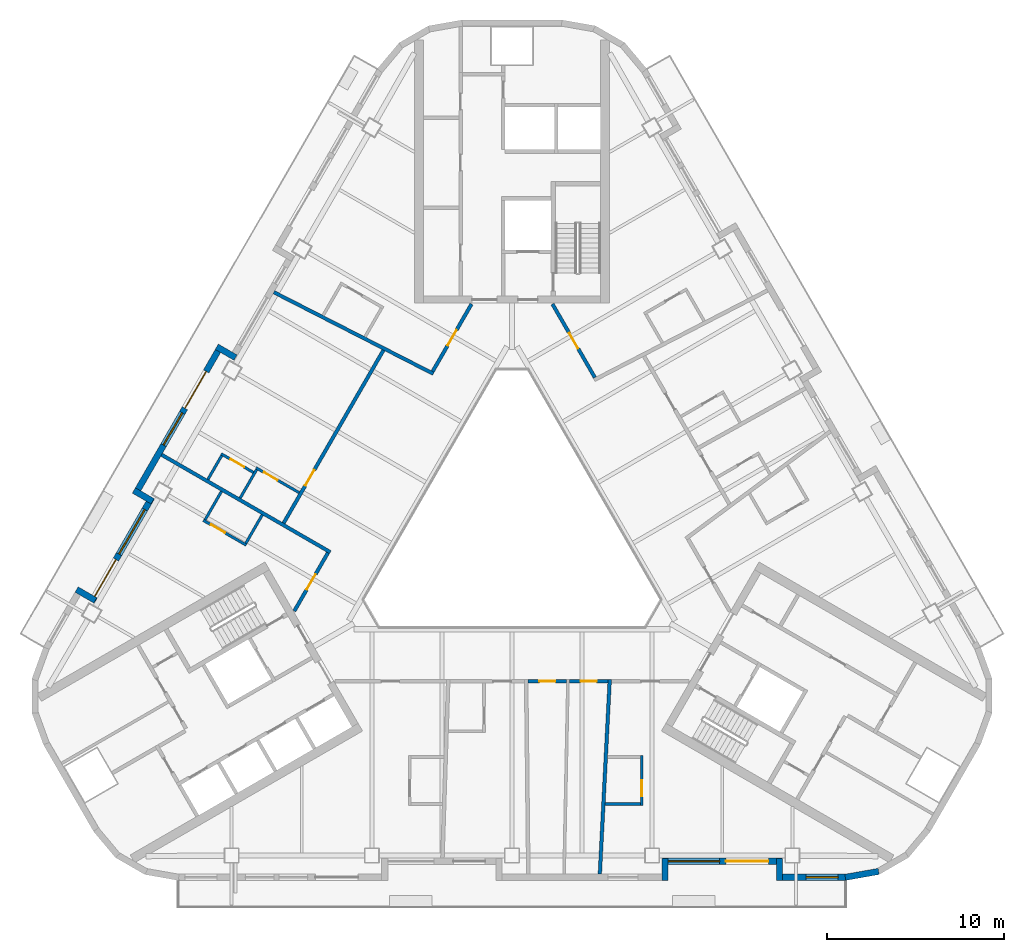
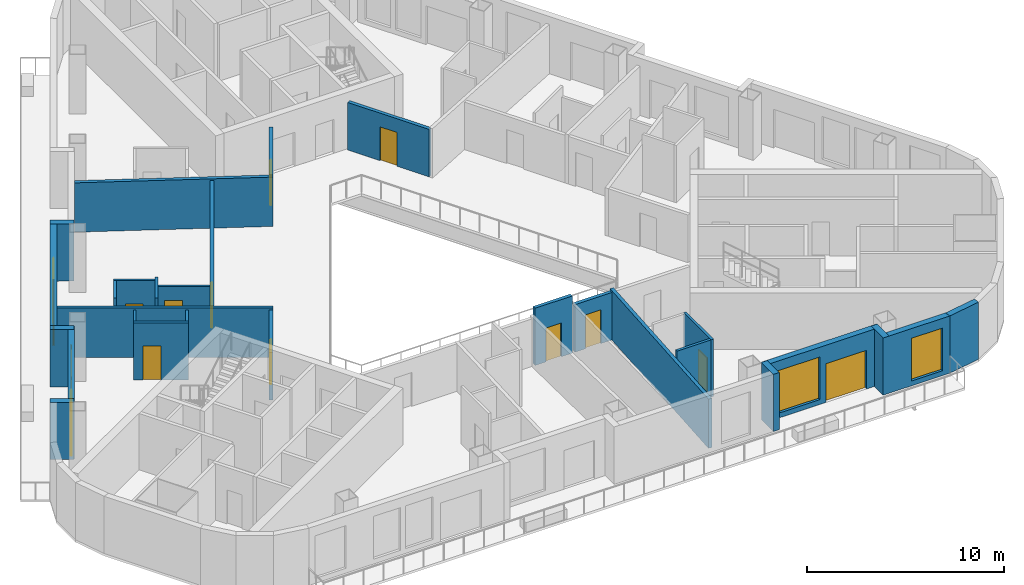
# One storey, part 4 of 14: 28 walls, 13 doors, 4 windows, 17 openings.
"""IFC4 building model written with IfcOpenShell, lengths in metres."""

from ifc_helpers import new_model, si_unit, direction, frame, frame_2d, origin, place, context, subcontext, project, spatial, rectangle, extrude, material, layer, layer_set, type_object, element, fill, save


model = new_model("IFC4")

# Units and contexts
model_context = context("Model", 3, precision=1e-05, world=origin(), true_north=direction((0.0, 1.0)))
body_context = subcontext(model_context, "Body", "Model", "MODEL_VIEW")
ifc_project = project(units=[si_unit("LENGTHUNIT", "METRE"), si_unit("AREAUNIT", "SQUARE_METRE"), si_unit("VOLUMEUNIT", "CUBIC_METRE"), si_unit("PLANEANGLEUNIT", "RADIAN"), si_unit("MASSUNIT", "GRAM", prefix="KILO")], contexts=[model_context])

# Site, building, storey
site_placement = place(None, origin())
site = spatial("IfcSite", under=ifc_project, at=site_placement, CompositionType="ELEMENT")
building_placement = place(site_placement, origin())
building = spatial("IfcBuilding", under=site, at=building_placement, Name="Apuvela Tower Hotel", CompositionType="ELEMENT")
storey_placement = place(building_placement, frame((0.0, 0.0, 172.5)))
storey = spatial("IfcBuildingStorey", under=building, at=storey_placement, Name="L41", CompositionType="ELEMENT", Elevation=172.5)

# Wall
ifc_material_1 = material(Name="Concrete C40/50, dark pigmented precast panel", Category="concrete")
ifc_layer_1 = layer(ifc_material_1, 0.35009765625)
ifc_layer_set_1 = layer_set([ifc_layer_1], Name="ENV-WALL-350")
wall_type_1 = type_object("IfcWallType", Name="ENV-WALL-350", PredefinedType="SOLIDWALL", material=ifc_layer_set_1)
wall_1_placement = place(storey_placement, frame((-15.580810546875, 9.8330078125, 0.0), z_axis=(0.0, 0.0, 1.0), x_axis=(-0.866055662726, 0.499947586314, 0.0)))
element("IfcWall", 1, at=wall_1_placement, inside=storey, type_object=wall_type_1, Name="External wall L41-04", PredefinedType="SOLIDWALL", context=body_context, shape_type="SweptSolid", body=[
    extrude(rectangle(XDim=1.220458984375, YDim=0.35009765625, at=frame_2d((0.6103515625, 0.0))), origin(), (0.0, 0.0, 1.0), 3.550048828125),
])

# Wall, openings, door, window
wall_2_placement = place(storey_placement, frame((-16.3984375, 10.507080078125, 0.0), z_axis=(0.0, 0.0, 1.0), x_axis=(-0.499999142773, -0.866025898704, 0.0)))
wall_2 = element("IfcWall", 2, at=wall_2_placement, inside=storey, type_object=wall_type_1, Name="External wall L41-05", PredefinedType="SOLIDWALL", context=body_context, shape_type="SweptSolid", body=[
    extrude(rectangle(XDim=9.7001953125, YDim=0.35009765625, at=frame_2d((4.85009765625, 0.0))), origin(), (0.0, 0.0, 1.0), 3.550048828125),
])
opening_1_placement = place(wall_2_placement, frame((1.67529296875, 0.0, 0.0)))
opening_1 = element("IfcOpeningElement", 3, at=opening_1_placement, cuts=wall_2, Name="Opening BD24", PredefinedType="OPENING", context=body_context, shape_type="SweptSolid", body=[
    extrude(rectangle(XDim=2.39990234375, YDim=2.39990234375, at=frame_2d((1.199951171875, 1.199951171875))), frame((0.0, 0.18505859375, 0.0), z_axis=(0.0, -1.0, 0.0), x_axis=(1.0, 0.0, 0.0)), (0.0, 0.0, 1.0), 0.3701171875),
])
opening_2_placement = place(wall_2_placement, frame((4.37548828125, 0.0, 0.300048828125)))
opening_2 = element("IfcOpeningElement", 4, at=opening_2_placement, cuts=wall_2, Name="Opening WN21", PredefinedType="OPENING", context=body_context, shape_type="SweptSolid", body=[
    extrude(rectangle(XDim=2.10009765625, YDim=2.64990234375, at=frame_2d((1.050048828125, 1.324951171875))), frame((0.0, 0.18505859375, 0.0), z_axis=(0.0, -1.0, 0.0), x_axis=(1.0, 0.0, 0.0)), (0.0, 0.0, 1.0), 0.3701171875),
])
ifc_material_2 = material(Name="Aluminium 6063-T6, dark bronze anodised frame with dark tinted laminated glass", Category="aluminium")
door_type_1 = type_object("IfcDoorType", Name="ENV-DOOR-BALCONY-2400x2400", OperationType="SLIDING_TO_LEFT", PredefinedType="DOOR", material=ifc_material_2)
door_1_placement = place(opening_1_placement, frame((2.39990234375, 0.0, 0.0), z_axis=(0.0, 0.0, 1.0), x_axis=(-1.0, 0.0, 0.0)))
door_1 = element("IfcDoor", 5, at=door_1_placement, inside=storey, type_object=door_type_1, Name="Balcony door BD24", OperationType="SLIDING_TO_LEFT", OverallHeight=2.39990234375, OverallWidth=2.39990234375, PredefinedType="DOOR", context=body_context, shape_type="SweptSolid", body=[
    extrude(rectangle(XDim=2.39990234375, YDim=2.39990234375, at=frame_2d((1.199951171875, 1.199951171875))), frame((0.0, 0.02490234375, 0.0), z_axis=(0.0, -1.0, 0.0), x_axis=(1.0, 0.0, 0.0)), (0.0, 0.0, 1.0), 0.050048828125),
])
fill(opening_1, door_1)
ifc_material_3 = material(Name="Glass, dark tinted laminated insulated glazing unit", Category="glass")
window_type_1 = type_object("IfcWindowType", Name="ENV-WIN-2100x2650", PartitioningType="SINGLE_PANEL", PredefinedType="WINDOW", material=ifc_material_3)
window_1_placement = place(opening_2_placement, origin())
window_1 = element("IfcWindow", 6, at=window_1_placement, inside=storey, type_object=window_type_1, Name="Window WN21", OverallHeight=2.64990234375, OverallWidth=2.10009765625, PartitioningType="SINGLE_PANEL", PredefinedType="WINDOW", context=body_context, shape_type="SweptSolid", body=[
    extrude(rectangle(XDim=2.10009765625, YDim=2.64990234375, at=frame_2d((1.050048828125, 1.324951171875))), frame((0.0, 0.030029296875, 0.0), z_axis=(0.0, -1.0, 0.0), x_axis=(1.0, 0.0, 0.0)), (0.0, 0.0, 1.0), 0.06005859375),
])
fill(opening_2, window_1)

# Wall
wall_3_placement = place(storey_placement, frame((-21.3125, 2.345703125, 0.0), z_axis=(0.0, 0.0, 1.0), x_axis=(0.866005645448, -0.500034220881, 0.0)))
element("IfcWall", 7, at=wall_3_placement, inside=storey, type_object=wall_type_1, Name="External wall L41-06", PredefinedType="SOLIDWALL", context=body_context, shape_type="SweptSolid", body=[
    extrude(rectangle(XDim=1.22021484375, YDim=0.35009765625, at=frame_2d((0.610107421875, 0.0))), origin(), (0.0, 0.0, 1.0), 3.550048828125),
])

# Wall, openings, door, window
wall_4_placement = place(storey_placement, frame((-20.30908203125, 1.93359375, 0.0), z_axis=(0.0, 0.0, 1.0), x_axis=(-0.499992114976, -0.866029956157, 0.0)))
wall_4 = element("IfcWall", 8, at=wall_4_placement, inside=storey, type_object=wall_type_1, Name="External wall L41-07", PredefinedType="SOLIDWALL", context=body_context, shape_type="SweptSolid", body=[
    extrude(rectangle(XDim=6.73974609375, YDim=0.35009765625, at=frame_2d((3.369873046875, 0.0))), origin(), (0.0, 0.0, 1.0), 3.550048828125),
])
opening_3_placement = place(wall_4_placement, frame((4.02001953125, 0.0, 0.0)))
opening_3 = element("IfcOpeningElement", 9, at=opening_3_placement, cuts=wall_4, Name="Opening BD24", PredefinedType="OPENING", context=body_context, shape_type="SweptSolid", body=[
    extrude(rectangle(XDim=2.39990234375, YDim=2.39990234375, at=frame_2d((1.199951171875, 1.199951171875))), frame((0.0, 0.18505859375, 0.0), z_axis=(0.0, -1.0, 0.0), x_axis=(1.0, 0.0, 0.0)), (0.0, 0.0, 1.0), 0.3701171875),
])
opening_4_placement = place(wall_4_placement, frame((0.77001953125, 0.0, 0.300048828125)))
opening_4 = element("IfcOpeningElement", 10, at=opening_4_placement, cuts=wall_4, Name="Opening WN29", PredefinedType="OPENING", context=body_context, shape_type="SweptSolid", body=[
    extrude(rectangle(XDim=2.89990234375, YDim=2.64990234375, at=frame_2d((1.449951171875, 1.324951171875))), frame((0.0, 0.18505859375, 0.0), z_axis=(0.0, -1.0, 0.0), x_axis=(1.0, 0.0, 0.0)), (0.0, 0.0, 1.0), 0.3701171875),
])
door_2_placement = place(opening_3_placement, frame((2.39990234375, 0.0, 0.0), z_axis=(0.0, 0.0, 1.0), x_axis=(-1.0, 0.0, 0.0)))
door_2 = element("IfcDoor", 11, at=door_2_placement, inside=storey, type_object=door_type_1, Name="Balcony door BD24", OperationType="SLIDING_TO_LEFT", OverallHeight=2.39990234375, OverallWidth=2.39990234375, PredefinedType="DOOR", context=body_context, shape_type="SweptSolid", body=[
    extrude(rectangle(XDim=2.39990234375, YDim=2.39990234375, at=frame_2d((1.199951171875, 1.199951171875))), frame((0.0, 0.02490234375, 0.0), z_axis=(0.0, -1.0, 0.0), x_axis=(1.0, 0.0, 0.0)), (0.0, 0.0, 1.0), 0.050048828125),
])
fill(opening_3, door_2)
window_type_2 = type_object("IfcWindowType", Name="ENV-WIN-2900x2650", PartitioningType="SINGLE_PANEL", PredefinedType="WINDOW", material=ifc_material_3)
window_2_placement = place(opening_4_placement, origin())
window_2 = element("IfcWindow", 12, at=window_2_placement, inside=storey, type_object=window_type_2, Name="Window WN29", OverallHeight=2.64990234375, OverallWidth=2.89990234375, PartitioningType="SINGLE_PANEL", PredefinedType="WINDOW", context=body_context, shape_type="SweptSolid", body=[
    extrude(rectangle(XDim=2.89990234375, YDim=2.64990234375, at=frame_2d((1.449951171875, 1.324951171875))), frame((0.0, 0.030029296875, 0.0), z_axis=(0.0, -1.0, 0.0), x_axis=(1.0, 0.0, 0.0)), (0.0, 0.0, 1.0), 0.06005859375),
])
fill(opening_4, window_2)

# Walls
for number, where, z_axis, x_axis, name in (
    (13, (-23.48095703125, -3.85009765625, 0.0), (0.0, 0.0, 1.0), (-0.866092288191, 0.499884134912, 0.0), "External wall L41-08"),
    (14, (8.625, -19.6298828125, 0.0), (0.0, 0.0, 1.0), (0.0, 1.0, 0.0), "External wall L41-22"),
):
    element("IfcWall", number, at=place(storey_placement, frame(where, z_axis=z_axis, x_axis=x_axis)), inside=storey, type_object=wall_type_1, Name=name, PredefinedType="SOLIDWALL", context=body_context, shape_type="SweptSolid", body=[
        extrude(rectangle(XDim=1.219970703125, YDim=0.35009765625, at=frame_2d((0.60986328125, 0.0))), origin(), (0.0, 0.0, 1.0), 3.550048828125),
    ])

# Wall, openings, door, window
wall_5_placement = place(storey_placement, frame((8.47998046875, -18.554931640625, 0.0), z_axis=(0.0, 0.0, 1.0), x_axis=(1.0, 0.0, 0.0)))
wall_5 = element("IfcWall", 15, at=wall_5_placement, inside=storey, type_object=wall_type_1, Name="External wall L41-23", PredefinedType="SOLIDWALL", context=body_context, shape_type="SweptSolid", body=[
    extrude(rectangle(XDim=6.739990234375, YDim=0.35009765625, at=frame_2d((3.3701171875, 0.0))), origin(), (0.0, 0.0, 1.0), 3.550048828125),
])
opening_5_placement = place(wall_5_placement, frame((3.570068359375, 0.0, 0.0)))
opening_5 = element("IfcOpeningElement", 16, at=opening_5_placement, cuts=wall_5, Name="Opening BD24", PredefinedType="OPENING", context=body_context, shape_type="SweptSolid", body=[
    extrude(rectangle(XDim=2.39990234375, YDim=2.39990234375, at=frame_2d((1.199951171875, 1.199951171875))), frame((0.0, 0.18505859375, 0.0), z_axis=(0.0, -1.0, 0.0), x_axis=(1.0, 0.0, 0.0)), (0.0, 0.0, 1.0), 0.3701171875),
])
opening_6_placement = place(wall_5_placement, frame((0.3203125, 0.0, 0.300048828125)))
opening_6 = element("IfcOpeningElement", 17, at=opening_6_placement, cuts=wall_5, Name="Opening WN29", PredefinedType="OPENING", context=body_context, shape_type="SweptSolid", body=[
    extrude(rectangle(XDim=2.89990234375, YDim=2.64990234375, at=frame_2d((1.449951171875, 1.324951171875))), frame((0.0, 0.18505859375, 0.0), z_axis=(0.0, -1.0, 0.0), x_axis=(1.0, 0.0, 0.0)), (0.0, 0.0, 1.0), 0.3701171875),
])
door_3_placement = place(opening_5_placement, frame((2.39990234375, 0.0, 0.0), z_axis=(0.0, 0.0, 1.0), x_axis=(-1.0, 0.0, 0.0)))
door_3 = element("IfcDoor", 18, at=door_3_placement, inside=storey, type_object=door_type_1, Name="Balcony door BD24", OperationType="SLIDING_TO_LEFT", OverallHeight=2.39990234375, OverallWidth=2.39990234375, PredefinedType="DOOR", context=body_context, shape_type="SweptSolid", body=[
    extrude(rectangle(XDim=2.39990234375, YDim=2.39990234375, at=frame_2d((1.199951171875, 1.199951171875))), frame((0.0, 0.02490234375, 0.0), z_axis=(0.0, -1.0, 0.0), x_axis=(1.0, 0.0, 0.0)), (0.0, 0.0, 1.0), 0.050048828125),
])
fill(opening_5, door_3)
window_3_placement = place(opening_6_placement, origin())
window_3 = element("IfcWindow", 19, at=window_3_placement, inside=storey, type_object=window_type_2, Name="Window WN29", OverallHeight=2.64990234375, OverallWidth=2.89990234375, PartitioningType="SINGLE_PANEL", PredefinedType="WINDOW", context=body_context, shape_type="SweptSolid", body=[
    extrude(rectangle(XDim=2.89990234375, YDim=2.64990234375, at=frame_2d((1.449951171875, 1.324951171875))), frame((0.0, 0.030029296875, 0.0), z_axis=(0.0, -1.0, 0.0), x_axis=(1.0, 0.0, 0.0)), (0.0, 0.0, 1.0), 0.06005859375),
])
fill(opening_6, window_3)

# Wall
wall_6_placement = place(storey_placement, frame((15.074951171875, -18.409912109375, 0.0), z_axis=(0.0, 0.0, 1.0), x_axis=(0.0, -1.0, 0.0)))
element("IfcWall", 20, at=wall_6_placement, inside=storey, type_object=wall_type_1, Name="External wall L41-24", PredefinedType="SOLIDWALL", context=body_context, shape_type="SweptSolid", body=[
    extrude(rectangle(XDim=1.219970703125, YDim=0.35009765625, at=frame_2d((0.60986328125, 0.0))), origin(), (0.0, 0.0, 1.0), 3.550048828125),
])

# Wall, opening, window
wall_7_placement = place(storey_placement, frame((14.89990234375, -19.455078125, 0.0), z_axis=(0.0, 0.0, 1.0), x_axis=(1.0, 0.0, 0.0)))
wall_7 = element("IfcWall", 21, at=wall_7_placement, inside=storey, type_object=wall_type_1, Name="External wall L41-25", PredefinedType="SOLIDWALL", context=body_context, shape_type="SweptSolid", body=[
    extrude(rectangle(XDim=3.916015625, YDim=0.35009765625, at=frame_2d((1.9580078125, 0.0))), origin(), (0.0, 0.0, 1.0), 3.550048828125),
])
opening_7_placement = place(wall_7_placement, frame((1.674560546875, 0.0, 0.300048828125)))
opening_7 = element("IfcOpeningElement", 22, at=opening_7_placement, cuts=wall_7, Name="Opening WN18", PredefinedType="OPENING", context=body_context, shape_type="SweptSolid", body=[
    extrude(rectangle(XDim=1.800048828125, YDim=2.64990234375, at=frame_2d((0.89990234375, 1.324951171875))), frame((0.0, 0.18505859375, 0.0), z_axis=(0.0, -1.0, 0.0), x_axis=(1.0, 0.0, 0.0)), (0.0, 0.0, 1.0), 0.3701171875),
])
window_type_3 = type_object("IfcWindowType", Name="ENV-WIN-1800x2650", PartitioningType="SINGLE_PANEL", PredefinedType="WINDOW", material=ifc_material_3)
window_4_placement = place(opening_7_placement, origin())
window_4 = element("IfcWindow", 23, at=window_4_placement, inside=storey, type_object=window_type_3, Name="Window WN18", OverallHeight=2.64990234375, OverallWidth=1.800048828125, PartitioningType="SINGLE_PANEL", PredefinedType="WINDOW", context=body_context, shape_type="SweptSolid", body=[
    extrude(rectangle(XDim=1.800048828125, YDim=2.64990234375, at=frame_2d((0.89990234375, 1.324951171875))), frame((0.0, 0.030029296875, 0.0), z_axis=(0.0, -1.0, 0.0), x_axis=(1.0, 0.0, 0.0)), (0.0, 0.0, 1.0), 0.06005859375),
])
fill(opening_7, window_4)

# Walls
wall_8_placement = place(storey_placement, frame((18.785400390625, -19.457763671875, 0.0), z_axis=(0.0, 0.0, 1.0), x_axis=(0.984798995425, 0.173697837091, 0.0)))
element("IfcWall", 24, at=wall_8_placement, inside=storey, type_object=wall_type_1, Name="External wall L41-26", PredefinedType="SOLIDWALL", context=body_context, shape_type="SweptSolid", body=[
    extrude(rectangle(XDim=1.91015625, YDim=0.35009765625, at=frame_2d((0.955078125, 0.0))), origin(), (0.0, 0.0, 1.0), 3.550048828125),
])
ifc_material_4 = material(Name="Gypsum board partition on twin steel stud", Category="steel")
ifc_layer_2 = layer(ifc_material_4, 0.199951171875)
ifc_layer_set_2 = layer_set([ifc_layer_2], Name="GST-PW1")
wall_type_2 = type_object("IfcWallType", Name="GST-PW1", PredefinedType="PARTITIONING", material=ifc_layer_set_2)
wall_9_placement = place(storey_placement, frame((4.949951171875, -19.280029296875, 0.0), z_axis=(0.0, 0.0, 1.0), x_axis=(0.050963172582, 0.998700533213, 0.0)))
element("IfcWall", 25, at=wall_9_placement, inside=storey, type_object=wall_type_2, Name="L41 partition 03", PredefinedType="PARTITIONING", context=body_context, shape_type="SweptSolid", body=[
    extrude(rectangle(XDim=10.994384765625, YDim=0.199951171875, at=frame_2d((5.4970703125, 0.0))), origin(), (0.0, 0.0, 1.0), 3.06005859375),
])
wall_10_placement = place(storey_placement, frame((-13.419677734375, 13.5166015625, 0.0), z_axis=(0.0, 0.0, 1.0), x_axis=(0.890385665103, -0.455206950056, 0.0)))
element("IfcWall", 26, at=wall_10_placement, inside=storey, type_object=wall_type_2, Name="L41 partition 07", PredefinedType="PARTITIONING", context=body_context, shape_type="SweptSolid", body=[
    extrude(rectangle(XDim=10.09326171875, YDim=0.199951171875, at=frame_2d((5.046630859375, 0.0))), origin(), (0.0, 0.0, 1.0), 3.06005859375),
])
wall_11_placement = place(storey_placement, frame((-19.7470703125, 4.357177734375, 0.0), z_axis=(0.0, 0.0, 1.0), x_axis=(0.866027479907, -0.499996404033, 0.0)))
element("IfcWall", 27, at=wall_11_placement, inside=storey, type_object=wall_type_2, Name="L41 partition 08", PredefinedType="PARTITIONING", context=body_context, shape_type="SweptSolid", body=[
    extrude(rectangle(XDim=10.97998046875, YDim=0.199951171875, at=frame_2d((5.489990234375, 0.0))), origin(), (0.0, 0.0, 1.0), 3.06005859375),
])

# Wall, opening, door
ifc_material_5 = material(Name="Gypsum board corridor wall on twin steel stud, acoustic", Category="steel")
ifc_layer_3 = layer(ifc_material_5, 0.199951171875)
ifc_layer_set_3 = layer_set([ifc_layer_3], Name="GST-PW2")
wall_type_3 = type_object("IfcWallType", Name="GST-PW2", PredefinedType="PARTITIONING", material=ifc_layer_set_3)
wall_12_placement = place(storey_placement, frame((3.076904296875, -8.39990234375, 0.0), z_axis=(0.0, 0.0, 1.0), x_axis=(-1.0, 0.0, 0.0)))
wall_12 = element("IfcWall", 28, at=wall_12_placement, inside=storey, type_object=wall_type_3, Name="L41 partition 17", PredefinedType="PARTITIONING", context=body_context, shape_type="SweptSolid", body=[
    extrude(rectangle(XDim=2.177978515625, YDim=0.199951171875, at=frame_2d((1.0888671875, 0.0))), origin(), (0.0, 0.0, 1.0), 3.550048828125),
])
opening_8_placement = place(wall_12_placement, frame((0.63916015625, 0.0, 0.0)))
opening_8 = element("IfcOpeningElement", 29, at=opening_8_placement, cuts=wall_12, Name="Opening GD15-05", PredefinedType="OPENING", context=body_context, shape_type="SweptSolid", body=[
    extrude(rectangle(XDim=0.89990234375, YDim=2.10009765625, at=frame_2d((0.449951171875, 1.050048828125))), frame((0.0, 0.10986328125, 0.0), z_axis=(0.0, -1.0, 0.0), x_axis=(1.0, 0.0, 0.0)), (0.0, 0.0, 1.0), 0.219970703125),
])
ifc_material_6 = material(Name="Timber door leaf in steel frame", Category="steel")
door_type_2 = type_object("IfcDoorType", Name="GST-D2", OperationType="NOTDEFINED", PredefinedType="DOOR", material=ifc_material_6)
door_4_placement = place(opening_8_placement, origin())
door_4 = element("IfcDoor", 30, at=door_4_placement, inside=storey, type_object=door_type_2, Name="Door L41-05", OperationType="SINGLE_SWING_LEFT", OverallHeight=2.10009765625, OverallWidth=0.89990234375, PredefinedType="DOOR", context=body_context, shape_type="SweptSolid", body=[
    extrude(rectangle(XDim=0.89990234375, YDim=2.10009765625, at=frame_2d((0.449951171875, 1.050048828125))), frame((0.0, 0.02490234375, 0.0), z_axis=(0.0, -1.0, 0.0), x_axis=(1.0, 0.0, 0.0)), (0.0, 0.0, 1.0), 0.050048828125),
])
fill(opening_8, door_4)

wall_13_placement = place(storey_placement, frame((5.405029296875, -8.39990234375, 0.0), z_axis=(0.0, 0.0, 1.0), x_axis=(-1.0, 0.0, 0.0)))
wall_13 = element("IfcWall", 31, at=wall_13_placement, inside=storey, type_object=wall_type_3, Name="L41 partition 18", PredefinedType="PARTITIONING", context=body_context, shape_type="SweptSolid", body=[
    extrude(rectangle(XDim=2.177978515625, YDim=0.199951171875, at=frame_2d((1.0888671875, 0.0))), origin(), (0.0, 0.0, 1.0), 2.949951171875),
])
opening_9_placement = place(wall_13_placement, frame((0.638916015625, 0.0, 0.0)))
opening_9 = element("IfcOpeningElement", 32, at=opening_9_placement, cuts=wall_13, Name="Opening GD15-06", PredefinedType="OPENING", context=body_context, shape_type="SweptSolid", body=[
    extrude(rectangle(XDim=0.89990234375, YDim=2.10009765625, at=frame_2d((0.449951171875, 1.050048828125))), frame((0.0, 0.10986328125, 0.0), z_axis=(0.0, -1.0, 0.0), x_axis=(1.0, 0.0, 0.0)), (0.0, 0.0, 1.0), 0.219970703125),
])
door_5_placement = place(opening_9_placement, origin())
door_5 = element("IfcDoor", 33, at=door_5_placement, inside=storey, type_object=door_type_2, Name="Door L41-06", OperationType="SINGLE_SWING_RIGHT", OverallHeight=2.10009765625, OverallWidth=0.89990234375, PredefinedType="DOOR", context=body_context, shape_type="SweptSolid", body=[
    extrude(rectangle(XDim=0.89990234375, YDim=2.10009765625, at=frame_2d((0.449951171875, 1.050048828125))), frame((0.0, 0.02490234375, 0.0), z_axis=(0.0, -1.0, 0.0), x_axis=(1.0, 0.0, 0.0)), (0.0, 0.0, 1.0), 0.050048828125),
])
fill(opening_9, door_5)

wall_14_placement = place(storey_placement, frame((2.280517578125, 12.85009765625, 0.0), z_axis=(0.0, 0.0, 1.0), x_axis=(0.499981649923, -0.866035997947, 0.0)))
wall_14 = element("IfcWall", 34, at=wall_14_placement, inside=storey, type_object=wall_type_3, Name="L41 partition 33", PredefinedType="PARTITIONING", context=body_context, shape_type="SweptSolid", body=[
    extrude(rectangle(XDim=4.783447265625, YDim=0.199951171875, at=frame_2d((2.3916015625, 0.0))), origin(), (0.0, 0.0, 1.0), 2.949951171875),
])
opening_10_placement = place(wall_14_placement, frame((1.8916015625, 0.0, 0.0)))
opening_10 = element("IfcOpeningElement", 35, at=opening_10_placement, cuts=wall_14, Name="Opening GD15-16", PredefinedType="OPENING", context=body_context, shape_type="SweptSolid", body=[
    extrude(rectangle(XDim=1.0, YDim=2.10009765625, at=frame_2d((0.5, 1.050048828125))), frame((0.0, 0.10986328125, 0.0), z_axis=(0.0, -1.0, 0.0), x_axis=(1.0, 0.0, 0.0)), (0.0, 0.0, 1.0), 0.219970703125),
])
door_type_3 = type_object("IfcDoorType", Name="GST-D1", OperationType="NOTDEFINED", PredefinedType="DOOR", material=ifc_material_6)
door_6_placement = place(opening_10_placement, origin())
door_6 = element("IfcDoor", 36, at=door_6_placement, inside=storey, type_object=door_type_3, Name="Door L41-16", OperationType="SINGLE_SWING_RIGHT", OverallHeight=2.10009765625, OverallWidth=1.0, PredefinedType="DOOR", context=body_context, shape_type="SweptSolid", body=[
    extrude(rectangle(XDim=1.0, YDim=2.10009765625, at=frame_2d((0.5, 1.050048828125))), frame((0.0, 0.02490234375, 0.0), z_axis=(0.0, -1.0, 0.0), x_axis=(1.0, 0.0, 0.0)), (0.0, 0.0, 1.0), 0.050048828125),
])
fill(opening_10, door_6)

wall_15_placement = place(storey_placement, frame((-4.471923828125, 9.05419921875, 0.0), z_axis=(0.0, 0.0, 1.0), x_axis=(0.499973180286, 0.8660408876, 0.0)))
wall_15 = element("IfcWall", 37, at=wall_15_placement, inside=storey, type_object=wall_type_3, Name="L41 partition 37", PredefinedType="PARTITIONING", context=body_context, shape_type="SweptSolid", body=[
    extrude(rectangle(XDim=4.383056640625, YDim=0.199951171875, at=frame_2d((2.19140625, 0.0))), origin(), (0.0, 0.0, 1.0), 2.949951171875),
])
opening_11_placement = place(wall_15_placement, frame((1.69140625, 0.0, 0.0)))
opening_11 = element("IfcOpeningElement", 38, at=opening_11_placement, cuts=wall_15, Name="Opening GD15-18", PredefinedType="OPENING", context=body_context, shape_type="SweptSolid", body=[
    extrude(rectangle(XDim=1.0, YDim=2.10009765625, at=frame_2d((0.5, 1.050048828125))), frame((0.0, 0.10986328125, 0.0), z_axis=(0.0, -1.0, 0.0), x_axis=(1.0, 0.0, 0.0)), (0.0, 0.0, 1.0), 0.219970703125),
])
door_7_placement = place(opening_11_placement, origin())
door_7 = element("IfcDoor", 39, at=door_7_placement, inside=storey, type_object=door_type_3, Name="Door L41-18", OperationType="SINGLE_SWING_LEFT", OverallHeight=2.10009765625, OverallWidth=1.0, PredefinedType="DOOR", context=body_context, shape_type="SweptSolid", body=[
    extrude(rectangle(XDim=1.0, YDim=2.10009765625, at=frame_2d((0.5, 1.050048828125))), frame((0.0, 0.02490234375, 0.0), z_axis=(0.0, -1.0, 0.0), x_axis=(1.0, 0.0, 0.0)), (0.0, 0.0, 1.0), 0.050048828125),
])
fill(opening_11, door_7)

wall_16_placement = place(storey_placement, frame((-12.872802734375, 0.50390625, 0.0), z_axis=(0.0, 0.0, 1.0), x_axis=(0.500019832059, 0.866013953437, 0.0)))
wall_16 = element("IfcWall", 40, at=wall_16_placement, inside=storey, type_object=wall_type_3, Name="L41 partition 41", PredefinedType="PARTITIONING", context=body_context, shape_type="SweptSolid", body=[
    extrude(rectangle(XDim=11.251953125, YDim=0.199951171875, at=frame_2d((5.6259765625, 0.0))), origin(), (0.0, 0.0, 1.0), 2.949951171875),
])
opening_12_placement = place(wall_16_placement, frame((2.449951171875, 0.0, 0.0)))
opening_12 = element("IfcOpeningElement", 41, at=opening_12_placement, cuts=wall_16, Name="Opening GD15-21", PredefinedType="OPENING", context=body_context, shape_type="SweptSolid", body=[
    extrude(rectangle(XDim=1.0, YDim=2.10009765625, at=frame_2d((0.5, 1.050048828125))), frame((0.0, 0.10986328125, 0.0), z_axis=(0.0, -1.0, 0.0), x_axis=(1.0, 0.0, 0.0)), (0.0, 0.0, 1.0), 0.219970703125),
])
door_8_placement = place(opening_12_placement, origin())
door_8 = element("IfcDoor", 42, at=door_8_placement, inside=storey, type_object=door_type_3, Name="Door L41-21", OperationType="SINGLE_SWING_RIGHT", OverallHeight=2.10009765625, OverallWidth=1.0, PredefinedType="DOOR", context=body_context, shape_type="SweptSolid", body=[
    extrude(rectangle(XDim=1.0, YDim=2.10009765625, at=frame_2d((0.5, 1.050048828125))), frame((0.0, 0.02490234375, 0.0), z_axis=(0.0, -1.0, 0.0), x_axis=(1.0, 0.0, 0.0)), (0.0, 0.0, 1.0), 0.050048828125),
])
fill(opening_12, door_8)

wall_17_placement = place(storey_placement, frame((-12.268798828125, -4.449951171875, 0.0), z_axis=(0.0, 0.0, 1.0), x_axis=(0.500055316652, 0.865993464345, 0.0)))
wall_17 = element("IfcWall", 43, at=wall_17_placement, inside=storey, type_object=wall_type_3, Name="L41 partition 46", PredefinedType="PARTITIONING", context=body_context, shape_type="SweptSolid", body=[
    extrude(rectangle(XDim=3.7880859375, YDim=0.199951171875, at=frame_2d((1.89404296875, 0.0))), origin(), (0.0, 0.0, 1.0), 2.949951171875),
])
opening_13_placement = place(wall_17_placement, frame((1.39404296875, 0.0, 0.0)))
opening_13 = element("IfcOpeningElement", 44, at=opening_13_placement, cuts=wall_17, Name="Opening GD15-23", PredefinedType="OPENING", context=body_context, shape_type="SweptSolid", body=[
    extrude(rectangle(XDim=1.0, YDim=2.10009765625, at=frame_2d((0.5, 1.050048828125))), frame((0.0, 0.10986328125, 0.0), z_axis=(0.0, -1.0, 0.0), x_axis=(1.0, 0.0, 0.0)), (0.0, 0.0, 1.0), 0.219970703125),
])
door_9_placement = place(opening_13_placement, origin())
door_9 = element("IfcDoor", 45, at=door_9_placement, inside=storey, type_object=door_type_3, Name="Door L41-23", OperationType="SINGLE_SWING_RIGHT", OverallHeight=2.10009765625, OverallWidth=1.0, PredefinedType="DOOR", context=body_context, shape_type="SweptSolid", body=[
    extrude(rectangle(XDim=1.0, YDim=2.10009765625, at=frame_2d((0.5, 1.050048828125))), frame((0.0, 0.02490234375, 0.0), z_axis=(0.0, -1.0, 0.0), x_axis=(1.0, 0.0, 0.0)), (0.0, 0.0, 1.0), 0.050048828125),
])
fill(opening_13, door_9)

ifc_material_7 = material(Name="Moisture-resistant gypsum board wet wall on steel stud", Category="steel")
ifc_layer_4 = layer(ifc_material_7, 0.14990234375)
ifc_layer_set_4 = layer_set([ifc_layer_4], Name="GST-PW3")
wall_type_4 = type_object("IfcWallType", Name="GST-PW3", PredefinedType="PARTITIONING", material=ifc_layer_set_4)
wall_18_placement = place(storey_placement, frame((7.31591796875, -15.39990234375, 0.0), z_axis=(0.0, 0.0, 1.0), x_axis=(0.0, 1.0, 0.0)))
wall_18 = element("IfcWall", 46, at=wall_18_placement, inside=storey, type_object=wall_type_4, Name="L41 partition 20", PredefinedType="PARTITIONING", context=body_context, shape_type="SweptSolid", body=[
    extrude(rectangle(XDim=2.7998046875, YDim=0.14990234375, at=frame_2d((1.39990234375, 0.0))), origin(), (0.0, 0.0, 1.0), 3.550048828125),
])
opening_14_placement = place(wall_18_placement, frame((0.5, 0.0, 0.0)))
opening_14 = element("IfcOpeningElement", 47, at=opening_14_placement, cuts=wall_18, Name="Opening GD15-07", PredefinedType="OPENING", context=body_context, shape_type="SweptSolid", body=[
    extrude(rectangle(XDim=0.89990234375, YDim=2.10009765625, at=frame_2d((0.449951171875, 1.050048828125))), frame((0.0, 0.0849609375, 0.0), z_axis=(0.0, -1.0, 0.0), x_axis=(1.0, 0.0, 0.0)), (0.0, 0.0, 1.0), 0.169921875),
])
door_10_placement = place(opening_14_placement, origin())
door_10 = element("IfcDoor", 48, at=door_10_placement, inside=storey, type_object=door_type_2, Name="Door L41-07", OperationType="SINGLE_SWING_LEFT", OverallHeight=2.10009765625, OverallWidth=0.89990234375, PredefinedType="DOOR", context=body_context, shape_type="SweptSolid", body=[
    extrude(rectangle(XDim=0.89990234375, YDim=2.10009765625, at=frame_2d((0.449951171875, 1.050048828125))), frame((0.0, 0.02490234375, 0.0), z_axis=(0.0, -1.0, 0.0), x_axis=(1.0, 0.0, 0.0)), (0.0, 0.0, 1.0), 0.050048828125),
])
fill(opening_14, door_10)

# Wall
wall_19_placement = place(storey_placement, frame((5.251953125, -15.324951171875, 0.0), z_axis=(0.0, 0.0, 1.0), x_axis=(1.0, 0.0, 0.0)))
element("IfcWall", 49, at=wall_19_placement, inside=storey, type_object=wall_type_4, Name="L41 partition 21", PredefinedType="PARTITIONING", context=body_context, shape_type="SweptSolid", body=[
    extrude(rectangle(XDim=1.989013671875, YDim=0.14990234375, at=frame_2d((0.99462890625, 0.0))), origin(), (0.0, 0.0, 1.0), 3.550048828125),
])

# Wall, opening, door
wall_20_placement = place(storey_placement, frame((-11.996826171875, 2.220947265625, 0.0), z_axis=(0.0, 0.0, 1.0), x_axis=(-0.866034573852, 0.49998411664, 0.0)))
wall_20 = element("IfcWall", 50, at=wall_20_placement, inside=storey, type_object=wall_type_4, Name="L41 partition 42", PredefinedType="PARTITIONING", context=body_context, shape_type="SweptSolid", body=[
    extrude(rectangle(XDim=2.7998046875, YDim=0.14990234375, at=frame_2d((1.39990234375, 0.0))), origin(), (0.0, 0.0, 1.0), 2.949951171875),
])
opening_15_placement = place(wall_20_placement, frame((1.39990234375, 0.0, 0.0)))
opening_15 = element("IfcOpeningElement", 51, at=opening_15_placement, cuts=wall_20, Name="Opening GD15-19", PredefinedType="OPENING", context=body_context, shape_type="SweptSolid", body=[
    extrude(rectangle(XDim=0.89990234375, YDim=2.10009765625, at=frame_2d((0.449951171875, 1.050048828125))), frame((0.0, 0.0849609375, 0.0), z_axis=(0.0, -1.0, 0.0), x_axis=(1.0, 0.0, 0.0)), (0.0, 0.0, 1.0), 0.169921875),
])
door_11_placement = place(opening_15_placement, origin())
door_11 = element("IfcDoor", 52, at=door_11_placement, inside=storey, type_object=door_type_2, Name="Door L41-19", OperationType="SINGLE_SWING_RIGHT", OverallHeight=2.10009765625, OverallWidth=0.89990234375, PredefinedType="DOOR", context=body_context, shape_type="SweptSolid", body=[
    extrude(rectangle(XDim=0.89990234375, YDim=2.10009765625, at=frame_2d((0.449951171875, 1.050048828125))), frame((0.0, 0.02490234375, 0.0), z_axis=(0.0, -1.0, 0.0), x_axis=(1.0, 0.0, 0.0)), (0.0, 0.0, 1.0), 0.050048828125),
])
fill(opening_15, door_11)

# Wall
wall_21_placement = place(storey_placement, frame((-14.394287109375, 3.5185546875, 0.0), z_axis=(0.0, 0.0, 1.0), x_axis=(-0.499886193382, -0.866091100096, 0.0)))
element("IfcWall", 53, at=wall_21_placement, inside=storey, type_object=wall_type_4, Name="L41 partition 43", PredefinedType="PARTITIONING", context=body_context, shape_type="SweptSolid", body=[
    extrude(rectangle(XDim=1.85009765625, YDim=0.14990234375, at=frame_2d((0.925048828125, 0.0))), origin(), (0.0, 0.0, 1.0), 3.550048828125),
])

# Wall, opening, door
wall_22_placement = place(storey_placement, frame((-14.57177734375, 3.361083984375, 0.0), z_axis=(0.0, 0.0, 1.0), x_axis=(-0.866009402589, 0.500027713859, 0.0)))
wall_22 = element("IfcWall", 54, at=wall_22_placement, inside=storey, type_object=wall_type_4, Name="L41 partition 44", PredefinedType="PARTITIONING", context=body_context, shape_type="SweptSolid", body=[
    extrude(rectangle(XDim=2.10009765625, YDim=0.14990234375, at=frame_2d((1.050048828125, 0.0))), origin(), (0.0, 0.0, 1.0), 3.550048828125),
])
opening_16_placement = place(wall_22_placement, frame((0.60009765625, 0.0, 0.0)))
opening_16 = element("IfcOpeningElement", 55, at=opening_16_placement, cuts=wall_22, Name="Opening GD15-20", PredefinedType="OPENING", context=body_context, shape_type="SweptSolid", body=[
    extrude(rectangle(XDim=0.89990234375, YDim=2.10009765625, at=frame_2d((0.449951171875, 1.050048828125))), frame((0.0, 0.0849609375, 0.0), z_axis=(0.0, -1.0, 0.0), x_axis=(1.0, 0.0, 0.0)), (0.0, 0.0, 1.0), 0.169921875),
])
door_12_placement = place(opening_16_placement, origin())
door_12 = element("IfcDoor", 56, at=door_12_placement, inside=storey, type_object=door_type_2, Name="Door L41-20", OperationType="SINGLE_SWING_RIGHT", OverallHeight=2.10009765625, OverallWidth=0.89990234375, PredefinedType="DOOR", context=body_context, shape_type="SweptSolid", body=[
    extrude(rectangle(XDim=0.89990234375, YDim=2.10009765625, at=frame_2d((0.449951171875, 1.050048828125))), frame((0.0, 0.02490234375, 0.0), z_axis=(0.0, -1.0, 0.0), x_axis=(1.0, 0.0, 0.0)), (0.0, 0.0, 1.0), 0.050048828125),
])
fill(opening_16, door_12)

# Wall
wall_23_placement = place(storey_placement, frame((-16.36279296875, 4.30859375, 0.0), z_axis=(0.0, 0.0, 1.0), x_axis=(-0.500086022567, -0.865975732936, 0.0)))
element("IfcWall", 57, at=wall_23_placement, inside=storey, type_object=wall_type_4, Name="L41 partition 45", PredefinedType="PARTITIONING", context=body_context, shape_type="SweptSolid", body=[
    extrude(rectangle(XDim=1.550048828125, YDim=0.14990234375, at=frame_2d((0.77490234375, 0.0))), origin(), (0.0, 0.0, 1.0), 3.550048828125),
])

# Wall, opening, door
wall_24_placement = place(storey_placement, frame((-17.3994140625, 0.66357421875, 0.0), z_axis=(0.0, 0.0, 1.0), x_axis=(0.866018616679, -0.500011755427, 0.0)))
wall_24 = element("IfcWall", 58, at=wall_24_placement, inside=storey, type_object=wall_type_4, Name="L41 partition 47", PredefinedType="PARTITIONING", context=body_context, shape_type="SweptSolid", body=[
    extrude(rectangle(XDim=2.80029296875, YDim=0.14990234375, at=frame_2d((1.400146484375, 0.0))), origin(), (0.0, 0.0, 1.0), 3.550048828125),
])
opening_17_placement = place(wall_24_placement, frame((0.5, 0.0, 0.0)))
opening_17 = element("IfcOpeningElement", 59, at=opening_17_placement, cuts=wall_24, Name="Opening GD15-22", PredefinedType="OPENING", context=body_context, shape_type="SweptSolid", body=[
    extrude(rectangle(XDim=0.89990234375, YDim=2.10009765625, at=frame_2d((0.449951171875, 1.050048828125))), frame((0.0, 0.0849609375, 0.0), z_axis=(0.0, -1.0, 0.0), x_axis=(1.0, 0.0, 0.0)), (0.0, 0.0, 1.0), 0.169921875),
])
door_13_placement = place(opening_17_placement, origin())
door_13 = element("IfcDoor", 60, at=door_13_placement, inside=storey, type_object=door_type_2, Name="Door L41-22", OperationType="SINGLE_SWING_LEFT", OverallHeight=2.10009765625, OverallWidth=0.89990234375, PredefinedType="DOOR", context=body_context, shape_type="SweptSolid", body=[
    extrude(rectangle(XDim=0.89990234375, YDim=2.10009765625, at=frame_2d((0.449951171875, 1.050048828125))), frame((0.0, 0.02490234375, 0.0), z_axis=(0.0, -1.0, 0.0), x_axis=(1.0, 0.0, 0.0)), (0.0, 0.0, 1.0), 0.050048828125),
])
fill(opening_17, door_13)

# Walls
wall_25_placement = place(storey_placement, frame((-16.371826171875, 2.293212890625, 0.0), z_axis=(0.0, 0.0, 1.0), x_axis=(-0.499985172903, -0.866033964044, 0.0)))
element("IfcWall", 61, at=wall_25_placement, inside=storey, type_object=wall_type_4, Name="L41 partition 48", PredefinedType="PARTITIONING", context=body_context, shape_type="SweptSolid", body=[
    extrude(rectangle(XDim=1.85009765625, YDim=0.14990234375, at=frame_2d((0.925048828125, 0.0))), origin(), (0.0, 0.0, 1.0), 2.949951171875),
])
wall_26_placement = place(storey_placement, frame((-14.076904296875, 0.968017578125, 0.0), z_axis=(0.0, 0.0, 1.0), x_axis=(-0.500042316284, -0.866000971088, 0.0)))
element("IfcWall", 62, at=wall_26_placement, inside=storey, type_object=wall_type_4, Name="L41 partition 49", PredefinedType="PARTITIONING", context=body_context, shape_type="SweptSolid", body=[
    extrude(rectangle(XDim=1.849853515625, YDim=0.14990234375, at=frame_2d((0.9248046875, 0.0))), origin(), (0.0, 0.0, 1.0), 2.949951171875),
])

save(model, "model.ifc")
